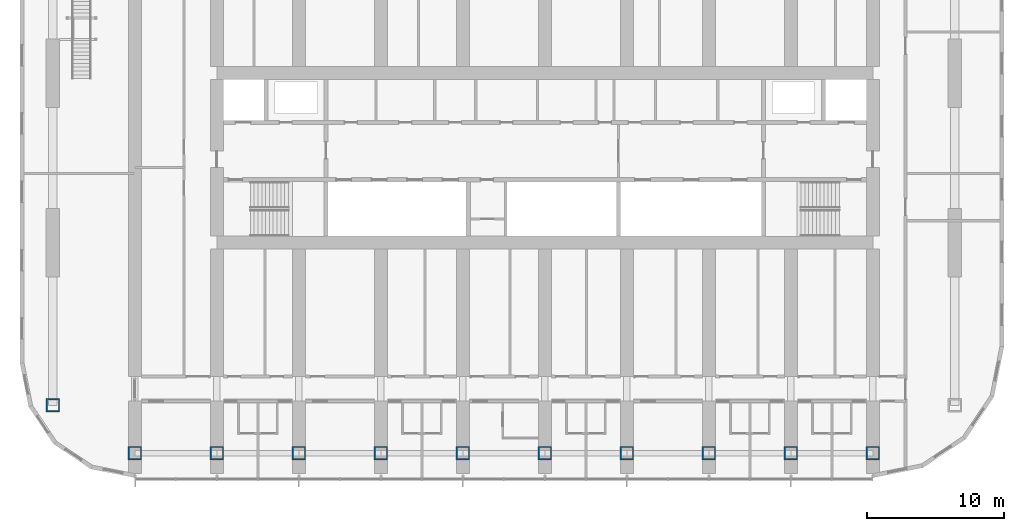
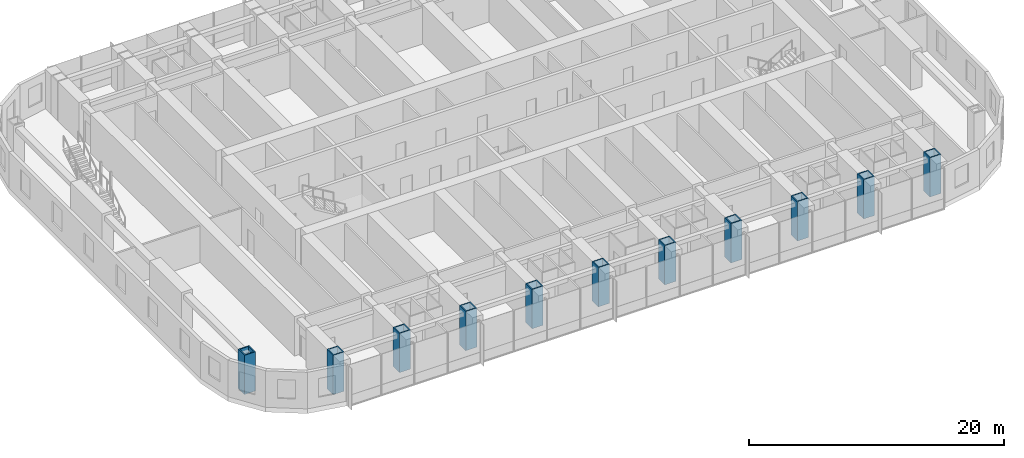
# One storey, part 1 of 25: 11 columns.
"""IFC4 building model written with IfcOpenShell, lengths in metres."""

from ifc_helpers import new_model, si_unit, direction, frame, origin, origin_2d, place, context, subcontext, project, spatial, hollow_rectangle, extrude, material, material_profile, profile_set, type_object, element, save


model = new_model("IFC4")

# Units and contexts
model_context = context("Model", 3, precision=1e-05, world=origin(), true_north=direction((0.0, 1.0)))
body_context = subcontext(model_context, "Body", "Model", "MODEL_VIEW")
ifc_project = project(units=[si_unit("LENGTHUNIT", "METRE"), si_unit("AREAUNIT", "SQUARE_METRE"), si_unit("VOLUMEUNIT", "CUBIC_METRE"), si_unit("PLANEANGLEUNIT", "RADIAN"), si_unit("MASSUNIT", "GRAM", prefix="KILO")], contexts=[model_context])

# Site, building, storey
site_placement = place(None, origin())
site = spatial("IfcSite", under=ifc_project, at=site_placement, CompositionType="ELEMENT")
building_placement = place(site_placement, origin())
building = spatial("IfcBuilding", under=site, at=building_placement, Name="Orbita Commons", CompositionType="ELEMENT")
storey_placement = place(building_placement, frame((0.0, 0.0, 99.39990234375)))
storey = spatial("IfcBuildingStorey", under=building, at=storey_placement, Name="L24", CompositionType="ELEMENT", Elevation=99.39990234375)

# Columns
ifc_material = material(Name="Steel ASTM A572 Gr 50 welded plate", Category="steel")
ifc_material_profile = material_profile(ifc_material, hollow_rectangle(XDim=1.0, YDim=1.0, WallThickness=0.10009765625, at=origin_2d()), Name="BOX 1000x1000x100")
ifc_profile_set = profile_set([ifc_material_profile], Name="Steel ASTM A572 Gr 50 welded plate")
column_type = type_object("IfcColumnType", Name="Steel column BOX 1000x1000x100", PredefinedType="COLUMN", material=ifc_profile_set)
for number, where, z_axis, x_axis, name in (
    (1, (12.0, 10.39990234375, 0.0), (0.0, 0.0, 1.0), (1.0, 0.0, 0.0), "Column 3/B L24"),
    (2, (18.0, 10.39990234375, 0.0), (0.0, 0.0, 1.0), (1.0, 0.0, 0.0), "Column 4/B L24"),
    (3, (24.0, 10.39990234375, 0.0), (0.0, 0.0, 1.0), (1.0, 0.0, 0.0), "Column 5/B L24"),
    (4, (30.0, 10.39990234375, 0.0), (0.0, 0.0, 1.0), (1.0, 0.0, 0.0), "Column 6/B L24"),
    (5, (36.0, 10.39990234375, 0.0), (0.0, 0.0, 1.0), (1.0, 0.0, 0.0), "Column 7/B L24"),
    (6, (42.0, 10.39990234375, 0.0), (0.0, 0.0, 1.0), (1.0, 0.0, 0.0), "Column 8/B L24"),
    (7, (48.0, 10.39990234375, 0.0), (0.0, 0.0, 1.0), (1.0, 0.0, 0.0), "Column 9/B L24"),
    (8, (54.0, 10.39990234375, 0.0), (0.0, 0.0, 1.0), (1.0, 0.0, 0.0), "Column 10/B L24"),
    (9, (60.0, 10.39990234375, 0.0), (0.0, 0.0, 1.0), (1.0, 0.0, 0.0), "Column 11/B L24"),
    (10, (66.0, 10.39990234375, 0.0), (0.0, 0.0, 1.0), (1.0, 0.0, 0.0), "Column 12/B L24"),
    (11, (6.0, 13.89990234375, 0.0), (0.0, 0.0, 1.0), (1.0, 0.0, 0.0), "Column 2/13.9 L24"),
):
    element("IfcColumn", number, at=place(storey_placement, frame(where, z_axis=z_axis, x_axis=x_axis)), inside=storey, type_object=column_type, Name=name, PredefinedType="COLUMN", context=body_context, shape_type="SweptSolid", body=[
        extrude(hollow_rectangle(XDim=1.0, YDim=1.0, WallThickness=0.10009765625, at=origin_2d()), origin(), (0.0, 0.0, 1.0), 3.75),
    ])

save(model, "model.ifc")
